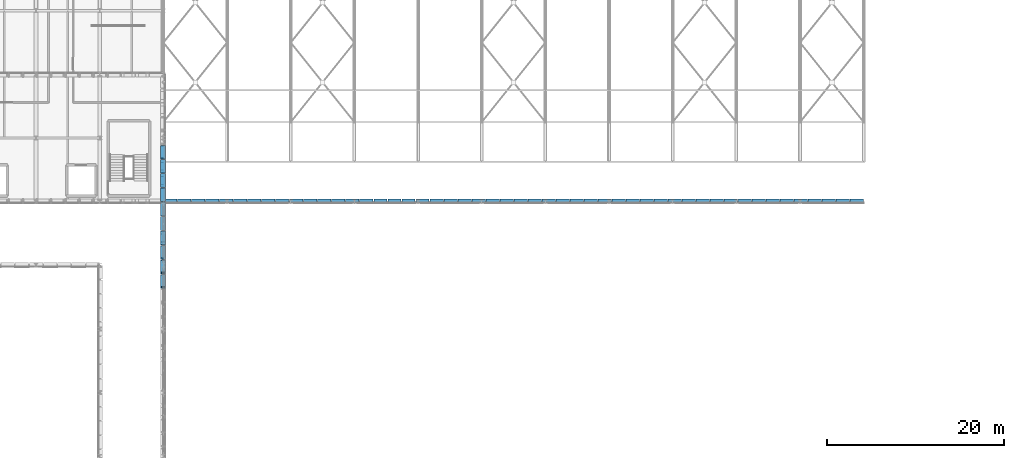
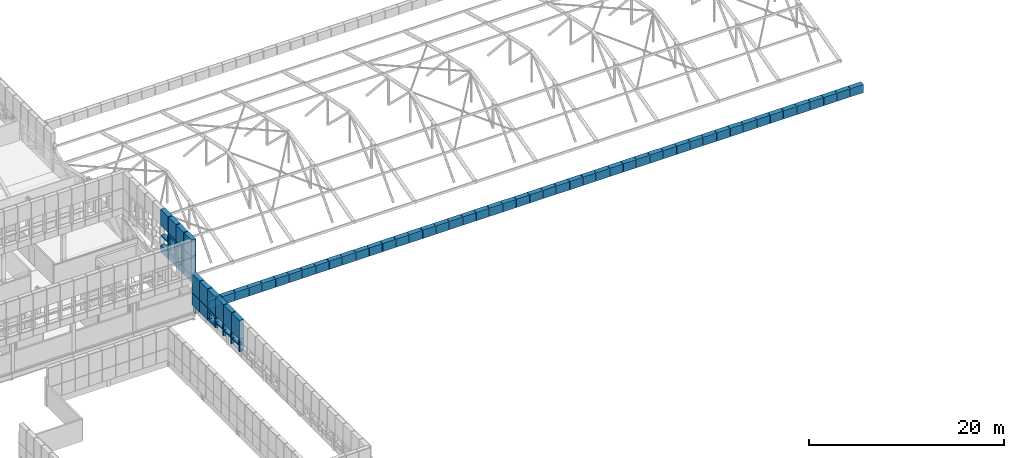
# One storey, part 68 of 96: 87 discrete accessories.
"""IFC4 building model written with IfcOpenShell, lengths in metres."""

from ifc_helpers import new_model, si_unit, direction, frame, origin, origin_2d, place, context, subcontext, project, spatial, rectangle, extrude, material, type_object, element, save


model = new_model("IFC4")

# Units and contexts
model_context = context("Model", 3, precision=1e-05, world=origin(), true_north=direction((0.0, 1.0)))
body_context = subcontext(model_context, "Body", "Model", "MODEL_VIEW")
ifc_project = project(units=[si_unit("LENGTHUNIT", "METRE"), si_unit("AREAUNIT", "SQUARE_METRE"), si_unit("VOLUMEUNIT", "CUBIC_METRE"), si_unit("PLANEANGLEUNIT", "RADIAN"), si_unit("MASSUNIT", "GRAM", prefix="KILO")], contexts=[model_context])

# Site, building, storey
site_placement = place(None, origin())
site = spatial("IfcSite", under=ifc_project, at=site_placement, CompositionType="ELEMENT")
building_placement = place(site_placement, origin())
building = spatial("IfcBuilding", under=site, at=building_placement, Name="Yarey Park Central Fire Station", CompositionType="ELEMENT")
storey_placement = place(building_placement, frame((0.0, 0.0, 14.39990234375)))
storey = spatial("IfcBuildingStorey", under=building, at=storey_placement, Name="L04", CompositionType="ELEMENT", Elevation=14.39990234375)

# Discrete accessories
ifc_material = material(Name="Stainless Steel AISI 316L", Category="steel")
discrete_accessory_type = type_object("IfcDiscreteAccessoryType", Name="ENV_BRK_SS1", PredefinedType="BRACKET", material=ifc_material)
discrete_accessory_1_placement = place(storey_placement, frame((57.550048828125, 47.891845703125, 0.875), z_axis=(0.0, 0.0, 1.0), x_axis=(1.0, 0.0, 0.0)))
element("IfcDiscreteAccessory", 1, at=discrete_accessory_1_placement, inside=storey, type_object=discrete_accessory_type, Name="BRK_PERF_L04_0428", PredefinedType="BRACKET", context=body_context, shape_type="SweptSolid", body=[
    extrude(rectangle(XDim=0.5400390625, YDim=0.159912109375, at=origin_2d()), origin(), (0.0, 0.0, 1.0), 1.52001953125),
])
discrete_accessory_2_placement = place(storey_placement, frame((57.550048828125, 48.60009765625, 1.55517578125), z_axis=(0.0, 0.0, 1.0), x_axis=(1.0, 0.0, 0.0)))
element("IfcDiscreteAccessory", 2, at=discrete_accessory_2_placement, inside=storey, type_object=discrete_accessory_type, Name="BRK_PERF_L04_0429", PredefinedType="BRACKET", context=body_context, shape_type="SweptSolid", body=[
    extrude(rectangle(XDim=0.5400390625, YDim=1.37646484375, at=origin_2d()), origin(), (0.0, 0.0, 1.0), 0.159912109375),
])
discrete_accessory_3_placement = place(storey_placement, frame((57.550048828125, 48.60009765625, 2.445068359375), z_axis=(0.0, 0.0, 1.0), x_axis=(1.0, 0.0, 0.0)))
element("IfcDiscreteAccessory", 3, at=discrete_accessory_3_placement, inside=storey, type_object=discrete_accessory_type, Name="BRK_PERF_L04_0430", PredefinedType="BRACKET", context=body_context, shape_type="SweptSolid", body=[
    extrude(rectangle(XDim=0.5400390625, YDim=1.576416015625, at=origin_2d()), origin(), (0.0, 0.0, 1.0), 2.35009765625),
])
discrete_accessory_4_placement = place(storey_placement, frame((57.550048828125, 49.5283203125, 0.875), z_axis=(0.0, 0.0, 1.0), x_axis=(1.0, 0.0, 0.0)))
element("IfcDiscreteAccessory", 4, at=discrete_accessory_4_placement, inside=storey, type_object=discrete_accessory_type, Name="BRK_PERF_L04_0435", PredefinedType="BRACKET", context=body_context, shape_type="SweptSolid", body=[
    extrude(rectangle(XDim=0.5400390625, YDim=0.159912109375, at=origin_2d()), origin(), (0.0, 0.0, 1.0), 1.52001953125),
])
discrete_accessory_5_placement = place(storey_placement, frame((57.550048828125, 50.236328125, 1.55517578125), z_axis=(0.0, 0.0, 1.0), x_axis=(1.0, 0.0, 0.0)))
element("IfcDiscreteAccessory", 5, at=discrete_accessory_5_placement, inside=storey, type_object=discrete_accessory_type, Name="BRK_PERF_L04_0436", PredefinedType="BRACKET", context=body_context, shape_type="SweptSolid", body=[
    extrude(rectangle(XDim=0.5400390625, YDim=1.37646484375, at=origin_2d()), origin(), (0.0, 0.0, 1.0), 0.159912109375),
])
discrete_accessory_6_placement = place(storey_placement, frame((57.550048828125, 50.236328125, 2.445068359375), z_axis=(0.0, 0.0, 1.0), x_axis=(1.0, 0.0, 0.0)))
element("IfcDiscreteAccessory", 6, at=discrete_accessory_6_placement, inside=storey, type_object=discrete_accessory_type, Name="BRK_PERF_L04_0437", PredefinedType="BRACKET", context=body_context, shape_type="SweptSolid", body=[
    extrude(rectangle(XDim=0.5400390625, YDim=1.576416015625, at=origin_2d()), origin(), (0.0, 0.0, 1.0), 2.35009765625),
])
discrete_accessory_7_placement = place(storey_placement, frame((57.550048828125, 51.16455078125, 0.875), z_axis=(0.0, 0.0, 1.0), x_axis=(1.0, 0.0, 0.0)))
element("IfcDiscreteAccessory", 7, at=discrete_accessory_7_placement, inside=storey, type_object=discrete_accessory_type, Name="BRK_PERF_L04_0442", PredefinedType="BRACKET", context=body_context, shape_type="SweptSolid", body=[
    extrude(rectangle(XDim=0.5400390625, YDim=0.159912109375, at=origin_2d()), origin(), (0.0, 0.0, 1.0), 1.52001953125),
])
discrete_accessory_8_placement = place(storey_placement, frame((57.550048828125, 51.872802734375, 1.55517578125), z_axis=(0.0, 0.0, 1.0), x_axis=(1.0, 0.0, 0.0)))
element("IfcDiscreteAccessory", 8, at=discrete_accessory_8_placement, inside=storey, type_object=discrete_accessory_type, Name="BRK_PERF_L04_0443", PredefinedType="BRACKET", context=body_context, shape_type="SweptSolid", body=[
    extrude(rectangle(XDim=0.5400390625, YDim=1.37646484375, at=origin_2d()), origin(), (0.0, 0.0, 1.0), 0.159912109375),
])
discrete_accessory_9_placement = place(storey_placement, frame((57.550048828125, 51.872802734375, 2.445068359375), z_axis=(0.0, 0.0, 1.0), x_axis=(1.0, 0.0, 0.0)))
element("IfcDiscreteAccessory", 9, at=discrete_accessory_9_placement, inside=storey, type_object=discrete_accessory_type, Name="BRK_PERF_L04_0444", PredefinedType="BRACKET", context=body_context, shape_type="SweptSolid", body=[
    extrude(rectangle(XDim=0.5400390625, YDim=1.576416015625, at=origin_2d()), origin(), (0.0, 0.0, 1.0), 2.35009765625),
])
for number, where, z_axis, x_axis, name in (
    (10, (57.550048828125, 53.509033203125, 0.8701171875), (0.0, 0.0, 1.0), (1.0, 0.0, 0.0), "BRK_PERF_L04_0451"),
    (11, (57.550048828125, 53.509033203125, 2.080078125), (0.0, 0.0, 1.0), (1.0, 0.0, 0.0), "BRK_PERF_L04_0452"),
):
    element("IfcDiscreteAccessory", number, at=place(storey_placement, frame(where, z_axis=z_axis, x_axis=x_axis)), inside=storey, type_object=discrete_accessory_type, Name=name, PredefinedType="BRACKET", context=body_context, shape_type="SweptSolid", body=[
        extrude(rectangle(XDim=0.5400390625, YDim=1.576416015625, at=origin_2d()), origin(), (0.0, 0.0, 1.0), 0.320068359375),
    ])
for number, where, z_axis, x_axis, name in (
    (12, (57.550048828125, 52.890869140625, 1.23486328125), (0.0, 0.0, 1.0), (1.0, 0.0, 0.0), "BRK_PERF_L04_0453"),
    (13, (57.550048828125, 54.127197265625, 1.23486328125), (0.0, 0.0, 1.0), (1.0, 0.0, 0.0), "BRK_PERF_L04_0454"),
):
    element("IfcDiscreteAccessory", number, at=place(storey_placement, frame(where, z_axis=z_axis, x_axis=x_axis)), inside=storey, type_object=discrete_accessory_type, Name=name, PredefinedType="BRACKET", context=body_context, shape_type="SweptSolid", body=[
        extrude(rectangle(XDim=0.5400390625, YDim=0.320068359375, at=origin_2d()), origin(), (0.0, 0.0, 1.0), 0.800048828125),
    ])
discrete_accessory_10_placement = place(storey_placement, frame((57.550048828125, 53.509033203125, 2.445068359375), z_axis=(0.0, 0.0, 1.0), x_axis=(1.0, 0.0, 0.0)))
element("IfcDiscreteAccessory", 14, at=discrete_accessory_10_placement, inside=storey, type_object=discrete_accessory_type, Name="BRK_PERF_L04_0455", PredefinedType="BRACKET", context=body_context, shape_type="SweptSolid", body=[
    extrude(rectangle(XDim=0.5400390625, YDim=1.576416015625, at=origin_2d()), origin(), (0.0, 0.0, 1.0), 2.35009765625),
])
discrete_accessory_11_placement = place(storey_placement, frame((57.550048828125, 55.1455078125, 0.875), z_axis=(0.0, 0.0, 1.0), x_axis=(1.0, 0.0, 0.0)))
element("IfcDiscreteAccessory", 15, at=discrete_accessory_11_placement, inside=storey, type_object=discrete_accessory_type, Name="BRK_PERF_L04_0459", PredefinedType="BRACKET", context=body_context, shape_type="SweptSolid", body=[
    extrude(rectangle(XDim=0.5400390625, YDim=1.576416015625, at=origin_2d()), origin(), (0.0, 0.0, 1.0), 1.52001953125),
])
discrete_accessory_12_placement = place(storey_placement, frame((57.550048828125, 55.1455078125, 2.445068359375), z_axis=(0.0, 0.0, 1.0), x_axis=(1.0, 0.0, 0.0)))
element("IfcDiscreteAccessory", 16, at=discrete_accessory_12_placement, inside=storey, type_object=discrete_accessory_type, Name="BRK_PERF_L04_0460", PredefinedType="BRACKET", context=body_context, shape_type="SweptSolid", body=[
    extrude(rectangle(XDim=0.5400390625, YDim=1.576416015625, at=origin_2d()), origin(), (0.0, 0.0, 1.0), 2.35009765625),
])
discrete_accessory_13_placement = place(storey_placement, frame((57.550048828125, 56.78173828125, 0.875), z_axis=(0.0, 0.0, 1.0), x_axis=(1.0, 0.0, 0.0)))
element("IfcDiscreteAccessory", 17, at=discrete_accessory_13_placement, inside=storey, type_object=discrete_accessory_type, Name="BRK_PERF_L04_0464", PredefinedType="BRACKET", context=body_context, shape_type="SweptSolid", body=[
    extrude(rectangle(XDim=0.5400390625, YDim=1.576416015625, at=origin_2d()), origin(), (0.0, 0.0, 1.0), 1.52001953125),
])
discrete_accessory_14_placement = place(storey_placement, frame((57.550048828125, 56.78173828125, 2.445068359375), z_axis=(0.0, 0.0, 1.0), x_axis=(1.0, 0.0, 0.0)))
element("IfcDiscreteAccessory", 18, at=discrete_accessory_14_placement, inside=storey, type_object=discrete_accessory_type, Name="BRK_PERF_L04_0465", PredefinedType="BRACKET", context=body_context, shape_type="SweptSolid", body=[
    extrude(rectangle(XDim=0.5400390625, YDim=1.576416015625, at=origin_2d()), origin(), (0.0, 0.0, 1.0), 2.35009765625),
])
discrete_accessory_15_placement = place(storey_placement, frame((57.550048828125, 58.39990234375, 3.64501953125), z_axis=(0.0, 0.0, 1.0), x_axis=(1.0, 0.0, 0.0)))
element("IfcDiscreteAccessory", 19, at=discrete_accessory_15_placement, inside=storey, type_object=discrete_accessory_type, Name="BRK_PERF_L04_1320", PredefinedType="BRACKET", context=body_context, shape_type="SweptSolid", body=[
    extrude(rectangle(XDim=0.5400390625, YDim=1.5400390625, at=origin_2d()), origin(), (0.0, 0.0, 1.0), 0.830078125),
])
discrete_accessory_16_placement = place(storey_placement, frame((57.550048828125, 58.39990234375, 4.525146484375), z_axis=(0.0, 0.0, 1.0), x_axis=(1.0, 0.0, 0.0)))
element("IfcDiscreteAccessory", 20, at=discrete_accessory_16_placement, inside=storey, type_object=discrete_accessory_type, Name="BRK_PERF_L04_1321", PredefinedType="BRACKET", context=body_context, shape_type="SweptSolid", body=[
    extrude(rectangle(XDim=0.5400390625, YDim=1.5400390625, at=origin_2d()), origin(), (0.0, 0.0, 1.0), 2.35009765625),
])
discrete_accessory_17_placement = place(storey_placement, frame((57.550048828125, 58.39990234375, 6.925048828125), z_axis=(0.0, 0.0, 1.0), x_axis=(1.0, 0.0, 0.0)))
element("IfcDiscreteAccessory", 21, at=discrete_accessory_17_placement, inside=storey, type_object=discrete_accessory_type, Name="BRK_PERF_L04_1322", PredefinedType="BRACKET", context=body_context, shape_type="SweptSolid", body=[
    extrude(rectangle(XDim=0.5400390625, YDim=1.5400390625, at=origin_2d()), origin(), (0.0, 0.0, 1.0), 2.0),
])
discrete_accessory_18_placement = place(storey_placement, frame((57.550048828125, 60.0, 3.64501953125), z_axis=(0.0, 0.0, 1.0), x_axis=(1.0, 0.0, 0.0)))
element("IfcDiscreteAccessory", 22, at=discrete_accessory_18_placement, inside=storey, type_object=discrete_accessory_type, Name="BRK_PERF_L04_1323", PredefinedType="BRACKET", context=body_context, shape_type="SweptSolid", body=[
    extrude(rectangle(XDim=0.5400390625, YDim=1.5400390625, at=origin_2d()), origin(), (0.0, 0.0, 1.0), 0.830078125),
])
for number, where, z_axis, x_axis, name in (
    (23, (57.550048828125, 60.0, 4.52001953125), (0.0, 0.0, 1.0), (1.0, 0.0, 0.0), "BRK_PERF_L04_1324"),
    (24, (57.550048828125, 60.0, 6.56005859375), (0.0, 0.0, 1.0), (1.0, 0.0, 0.0), "BRK_PERF_L04_1325"),
):
    element("IfcDiscreteAccessory", number, at=place(storey_placement, frame(where, z_axis=z_axis, x_axis=x_axis)), inside=storey, type_object=discrete_accessory_type, Name=name, PredefinedType="BRACKET", context=body_context, shape_type="SweptSolid", body=[
        extrude(rectangle(XDim=0.5400390625, YDim=1.5400390625, at=origin_2d()), origin(), (0.0, 0.0, 1.0), 0.320068359375),
    ])
for number, where, z_axis, x_axis, name in (
    (25, (57.550048828125, 59.39990234375, 4.88525390625), (0.0, 0.0, 1.0), (1.0, 0.0, 0.0), "BRK_PERF_L04_1326"),
    (26, (57.550048828125, 60.60009765625, 4.88525390625), (0.0, 0.0, 1.0), (1.0, 0.0, 0.0), "BRK_PERF_L04_1327"),
):
    element("IfcDiscreteAccessory", number, at=place(storey_placement, frame(where, z_axis=z_axis, x_axis=x_axis)), inside=storey, type_object=discrete_accessory_type, Name=name, PredefinedType="BRACKET", context=body_context, shape_type="SweptSolid", body=[
        extrude(rectangle(XDim=0.5400390625, YDim=0.320068359375, at=origin_2d()), origin(), (0.0, 0.0, 1.0), 1.6298828125),
    ])
discrete_accessory_19_placement = place(storey_placement, frame((57.550048828125, 60.0, 6.925048828125), z_axis=(0.0, 0.0, 1.0), x_axis=(1.0, 0.0, 0.0)))
element("IfcDiscreteAccessory", 27, at=discrete_accessory_19_placement, inside=storey, type_object=discrete_accessory_type, Name="BRK_PERF_L04_1328", PredefinedType="BRACKET", context=body_context, shape_type="SweptSolid", body=[
    extrude(rectangle(XDim=0.5400390625, YDim=1.5400390625, at=origin_2d()), origin(), (0.0, 0.0, 1.0), 2.0),
])
discrete_accessory_20_placement = place(storey_placement, frame((57.550048828125, 61.60009765625, 3.64501953125), z_axis=(0.0, 0.0, 1.0), x_axis=(1.0, 0.0, 0.0)))
element("IfcDiscreteAccessory", 28, at=discrete_accessory_20_placement, inside=storey, type_object=discrete_accessory_type, Name="BRK_PERF_L04_1329", PredefinedType="BRACKET", context=body_context, shape_type="SweptSolid", body=[
    extrude(rectangle(XDim=0.5400390625, YDim=1.5400390625, at=origin_2d()), origin(), (0.0, 0.0, 1.0), 0.830078125),
])
for number, where, z_axis, x_axis, name in (
    (29, (57.550048828125, 61.60009765625, 4.52001953125), (0.0, 0.0, 1.0), (1.0, 0.0, 0.0), "BRK_PERF_L04_1330"),
    (30, (57.550048828125, 61.60009765625, 6.56005859375), (0.0, 0.0, 1.0), (1.0, 0.0, 0.0), "BRK_PERF_L04_1331"),
):
    element("IfcDiscreteAccessory", number, at=place(storey_placement, frame(where, z_axis=z_axis, x_axis=x_axis)), inside=storey, type_object=discrete_accessory_type, Name=name, PredefinedType="BRACKET", context=body_context, shape_type="SweptSolid", body=[
        extrude(rectangle(XDim=0.5400390625, YDim=1.5400390625, at=origin_2d()), origin(), (0.0, 0.0, 1.0), 0.320068359375),
    ])
for number, where, z_axis, x_axis, name in (
    (31, (57.550048828125, 61.0, 4.88525390625), (0.0, 0.0, 1.0), (1.0, 0.0, 0.0), "BRK_PERF_L04_1332"),
    (32, (57.550048828125, 62.199951171875, 4.88525390625), (0.0, 0.0, 1.0), (1.0, 0.0, 0.0), "BRK_PERF_L04_1333"),
):
    element("IfcDiscreteAccessory", number, at=place(storey_placement, frame(where, z_axis=z_axis, x_axis=x_axis)), inside=storey, type_object=discrete_accessory_type, Name=name, PredefinedType="BRACKET", context=body_context, shape_type="SweptSolid", body=[
        extrude(rectangle(XDim=0.5400390625, YDim=0.320068359375, at=origin_2d()), origin(), (0.0, 0.0, 1.0), 1.6298828125),
    ])
discrete_accessory_21_placement = place(storey_placement, frame((57.550048828125, 61.60009765625, 6.925048828125), z_axis=(0.0, 0.0, 1.0), x_axis=(1.0, 0.0, 0.0)))
element("IfcDiscreteAccessory", 33, at=discrete_accessory_21_placement, inside=storey, type_object=discrete_accessory_type, Name="BRK_PERF_L04_1334", PredefinedType="BRACKET", context=body_context, shape_type="SweptSolid", body=[
    extrude(rectangle(XDim=0.5400390625, YDim=1.5400390625, at=origin_2d()), origin(), (0.0, 0.0, 1.0), 2.0),
])
discrete_accessory_22_placement = place(storey_placement, frame((57.550048828125, 63.199951171875, 3.64501953125), z_axis=(0.0, 0.0, 1.0), x_axis=(1.0, 0.0, 0.0)))
element("IfcDiscreteAccessory", 34, at=discrete_accessory_22_placement, inside=storey, type_object=discrete_accessory_type, Name="BRK_PERF_L04_1335", PredefinedType="BRACKET", context=body_context, shape_type="SweptSolid", body=[
    extrude(rectangle(XDim=0.5400390625, YDim=1.5400390625, at=origin_2d()), origin(), (0.0, 0.0, 1.0), 0.830078125),
])
discrete_accessory_23_placement = place(storey_placement, frame((57.550048828125, 62.510009765625, 4.525146484375), z_axis=(0.0, 0.0, 1.0), x_axis=(1.0, 0.0, 0.0)))
element("IfcDiscreteAccessory", 35, at=discrete_accessory_23_placement, inside=storey, type_object=discrete_accessory_type, Name="BRK_PERF_L04_1336", PredefinedType="BRACKET", context=body_context, shape_type="SweptSolid", body=[
    extrude(rectangle(XDim=0.5400390625, YDim=0.159912109375, at=origin_2d()), origin(), (0.0, 0.0, 1.0), 2.35009765625),
])
discrete_accessory_24_placement = place(storey_placement, frame((57.550048828125, 63.199951171875, 5.6201171875), z_axis=(0.0, 0.0, 1.0), x_axis=(1.0, 0.0, 0.0)))
element("IfcDiscreteAccessory", 36, at=discrete_accessory_24_placement, inside=storey, type_object=discrete_accessory_type, Name="BRK_PERF_L04_1337", PredefinedType="BRACKET", context=body_context, shape_type="SweptSolid", body=[
    extrude(rectangle(XDim=0.5400390625, YDim=1.340087890625, at=origin_2d()), origin(), (0.0, 0.0, 1.0), 0.159912109375),
])
discrete_accessory_25_placement = place(storey_placement, frame((57.550048828125, 63.199951171875, 6.925048828125), z_axis=(0.0, 0.0, 1.0), x_axis=(1.0, 0.0, 0.0)))
element("IfcDiscreteAccessory", 37, at=discrete_accessory_25_placement, inside=storey, type_object=discrete_accessory_type, Name="BRK_PERF_L04_1338", PredefinedType="BRACKET", context=body_context, shape_type="SweptSolid", body=[
    extrude(rectangle(XDim=0.5400390625, YDim=1.5400390625, at=origin_2d()), origin(), (0.0, 0.0, 1.0), 2.0),
])
for number, where, z_axis, x_axis, name in (
    (38, (58.39208984375, 57.64990234375, -0.27490234375), (0.0, 0.0, 1.0), (1.0, 0.0, 0.0), "BRK_PERF_L04_1364"),
    (39, (59.97607421875, 57.64990234375, -0.27490234375), (0.0, 0.0, 1.0), (1.0, 0.0, 0.0), "BRK_PERF_L04_1367"),
    (40, (61.56005859375, 57.64990234375, -0.27490234375), (0.0, 0.0, 1.0), (1.0, 0.0, 0.0), "BRK_PERF_L04_1373"),
    (41, (63.14404296875, 57.64990234375, -0.27490234375), (0.0, 0.0, 1.0), (1.0, 0.0, 0.0), "BRK_PERF_L04_1377"),
    (42, (64.72802734375, 57.64990234375, -0.27490234375), (0.0, 0.0, 1.0), (1.0, 0.0, 0.0), "BRK_PERF_L04_1381"),
    (43, (66.31201171875, 57.64990234375, -0.27490234375), (0.0, 0.0, 1.0), (1.0, 0.0, 0.0), "BRK_PERF_L04_1385"),
    (44, (67.89599609375, 57.64990234375, -0.27490234375), (0.0, 0.0, 1.0), (1.0, 0.0, 0.0), "BRK_PERF_L04_1389"),
    (45, (69.47998046875, 57.64990234375, -0.27490234375), (0.0, 0.0, 1.0), (1.0, 0.0, 0.0), "BRK_PERF_L04_1395"),
    (46, (71.06396484375, 57.64990234375, -0.27490234375), (0.0, 0.0, 1.0), (1.0, 0.0, 0.0), "BRK_PERF_L04_1398"),
    (47, (72.64794921875, 57.64990234375, -0.27490234375), (0.0, 0.0, 1.0), (1.0, 0.0, 0.0), "BRK_PERF_L04_1401"),
    (48, (74.23193359375, 57.64990234375, -0.27490234375), (0.0, 0.0, 1.0), (1.0, 0.0, 0.0), "BRK_PERF_L04_1404"),
    (49, (75.81591796875, 57.64990234375, -0.27490234375), (0.0, 0.0, 1.0), (1.0, 0.0, 0.0), "BRK_PERF_L04_1410"),
    (50, (77.39990234375, 57.64990234375, -0.27490234375), (0.0, 0.0, 1.0), (1.0, 0.0, 0.0), "BRK_PERF_L04_1414"),
    (51, (78.98388671875, 57.64990234375, -0.27490234375), (0.0, 0.0, 1.0), (1.0, 0.0, 0.0), "BRK_PERF_L04_1418"),
    (52, (80.568115234375, 57.64990234375, -0.27490234375), (0.0, 0.0, 1.0), (1.0, 0.0, 0.0), "BRK_PERF_L04_1422"),
    (53, (82.152099609375, 57.64990234375, -0.27490234375), (0.0, 0.0, 1.0), (1.0, 0.0, 0.0), "BRK_PERF_L04_1426"),
    (54, (83.736083984375, 57.64990234375, -0.27490234375), (0.0, 0.0, 1.0), (1.0, 0.0, 0.0), "BRK_PERF_L04_1432"),
    (55, (85.320068359375, 57.64990234375, -0.27490234375), (0.0, 0.0, 1.0), (1.0, 0.0, 0.0), "BRK_PERF_L04_1435"),
    (56, (86.904052734375, 57.64990234375, -0.27490234375), (0.0, 0.0, 1.0), (1.0, 0.0, 0.0), "BRK_PERF_L04_1438"),
    (57, (88.488037109375, 57.64990234375, -0.27490234375), (0.0, 0.0, 1.0), (1.0, 0.0, 0.0), "BRK_PERF_L04_1441"),
    (58, (90.072021484375, 57.64990234375, -0.27490234375), (0.0, 0.0, 1.0), (1.0, 0.0, 0.0), "BRK_PERF_L04_1447"),
    (59, (91.656005859375, 57.64990234375, -0.27490234375), (0.0, 0.0, 1.0), (1.0, 0.0, 0.0), "BRK_PERF_L04_1451"),
    (60, (93.239990234375, 57.64990234375, -0.27490234375), (0.0, 0.0, 1.0), (1.0, 0.0, 0.0), "BRK_PERF_L04_1455"),
    (61, (94.823974609375, 57.64990234375, -0.27490234375), (0.0, 0.0, 1.0), (1.0, 0.0, 0.0), "BRK_PERF_L04_1459"),
    (62, (96.407958984375, 57.64990234375, -0.27490234375), (0.0, 0.0, 1.0), (1.0, 0.0, 0.0), "BRK_PERF_L04_1463"),
    (63, (97.991943359375, 57.64990234375, -0.27490234375), (0.0, 0.0, 1.0), (1.0, 0.0, 0.0), "BRK_PERF_L04_1469"),
    (64, (99.575927734375, 57.64990234375, -0.27490234375), (0.0, 0.0, 1.0), (1.0, 0.0, 0.0), "BRK_PERF_L04_1472"),
    (65, (101.159912109375, 57.64990234375, -0.27490234375), (0.0, 0.0, 1.0), (1.0, 0.0, 0.0), "BRK_PERF_L04_1475"),
    (66, (102.743896484375, 57.64990234375, -0.27490234375), (0.0, 0.0, 1.0), (1.0, 0.0, 0.0), "BRK_PERF_L04_1478"),
    (67, (104.327880859375, 57.64990234375, -0.27490234375), (0.0, 0.0, 1.0), (1.0, 0.0, 0.0), "BRK_PERF_L04_1484"),
    (68, (105.912109375, 57.64990234375, -0.27490234375), (0.0, 0.0, 1.0), (1.0, 0.0, 0.0), "BRK_PERF_L04_1488"),
    (69, (107.49609375, 57.64990234375, -0.27490234375), (0.0, 0.0, 1.0), (1.0, 0.0, 0.0), "BRK_PERF_L04_1492"),
    (70, (109.080078125, 57.64990234375, -0.27490234375), (0.0, 0.0, 1.0), (1.0, 0.0, 0.0), "BRK_PERF_L04_1496"),
    (71, (110.6640625, 57.64990234375, -0.27490234375), (0.0, 0.0, 1.0), (1.0, 0.0, 0.0), "BRK_PERF_L04_1500"),
    (72, (112.248046875, 57.64990234375, -0.27490234375), (0.0, 0.0, 1.0), (1.0, 0.0, 0.0), "BRK_PERF_L04_1506"),
    (73, (113.83203125, 57.64990234375, -0.27490234375), (0.0, 0.0, 1.0), (1.0, 0.0, 0.0), "BRK_PERF_L04_1509"),
    (74, (115.416015625, 57.64990234375, -0.27490234375), (0.0, 0.0, 1.0), (1.0, 0.0, 0.0), "BRK_PERF_L04_1512"),
    (75, (117.0, 57.64990234375, -0.27490234375), (0.0, 0.0, 1.0), (1.0, 0.0, 0.0), "BRK_PERF_L04_1515"),
    (76, (118.583984375, 57.64990234375, -0.27490234375), (0.0, 0.0, 1.0), (1.0, 0.0, 0.0), "BRK_PERF_L04_1521"),
    (77, (120.16796875, 57.64990234375, -0.27490234375), (0.0, 0.0, 1.0), (1.0, 0.0, 0.0), "BRK_PERF_L04_1525"),
    (78, (121.751953125, 57.64990234375, -0.27490234375), (0.0, 0.0, 1.0), (1.0, 0.0, 0.0), "BRK_PERF_L04_1529"),
    (79, (123.3359375, 57.64990234375, -0.27490234375), (0.0, 0.0, 1.0), (1.0, 0.0, 0.0), "BRK_PERF_L04_1533"),
    (80, (124.919921875, 57.64990234375, -0.27490234375), (0.0, 0.0, 1.0), (1.0, 0.0, 0.0), "BRK_PERF_L04_1537"),
    (81, (126.50390625, 57.64990234375, -0.27490234375), (0.0, 0.0, 1.0), (1.0, 0.0, 0.0), "BRK_PERF_L04_1541"),
    (82, (128.087890625, 57.64990234375, -0.27490234375), (0.0, 0.0, 1.0), (1.0, 0.0, 0.0), "BRK_PERF_L04_1545"),
    (83, (129.672119140625, 57.64990234375, -0.27490234375), (0.0, 0.0, 1.0), (1.0, 0.0, 0.0), "BRK_PERF_L04_1549"),
    (84, (131.256103515625, 57.64990234375, -0.27490234375), (0.0, 0.0, 1.0), (1.0, 0.0, 0.0), "BRK_PERF_L04_1553"),
    (85, (132.840087890625, 57.64990234375, -0.27490234375), (0.0, 0.0, 1.0), (1.0, 0.0, 0.0), "BRK_PERF_L04_1559"),
    (86, (134.424072265625, 57.64990234375, -0.27490234375), (0.0, 0.0, 1.0), (1.0, 0.0, 0.0), "BRK_PERF_L04_1562"),
    (87, (136.008056640625, 57.64990234375, -0.27490234375), (0.0, 0.0, 1.0), (1.0, 0.0, 0.0), "BRK_PERF_L04_1565"),
):
    element("IfcDiscreteAccessory", number, at=place(storey_placement, frame(where, z_axis=z_axis, x_axis=x_axis)), inside=storey, type_object=discrete_accessory_type, Name=name, PredefinedType="BRACKET", context=body_context, shape_type="SweptSolid", body=[
        extrude(rectangle(XDim=1.52392578125, YDim=0.5400390625, at=origin_2d()), origin(), (0.0, 0.0, 1.0), 1.050048828125),
    ])

save(model, "model.ifc")
